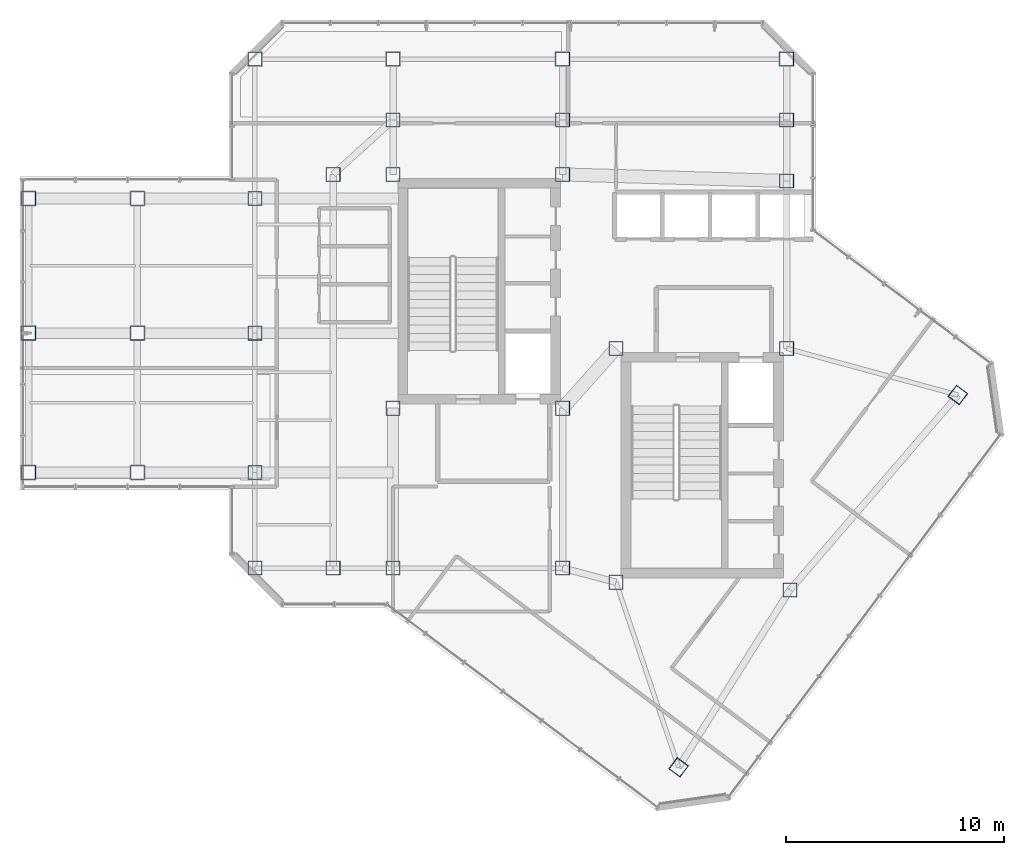
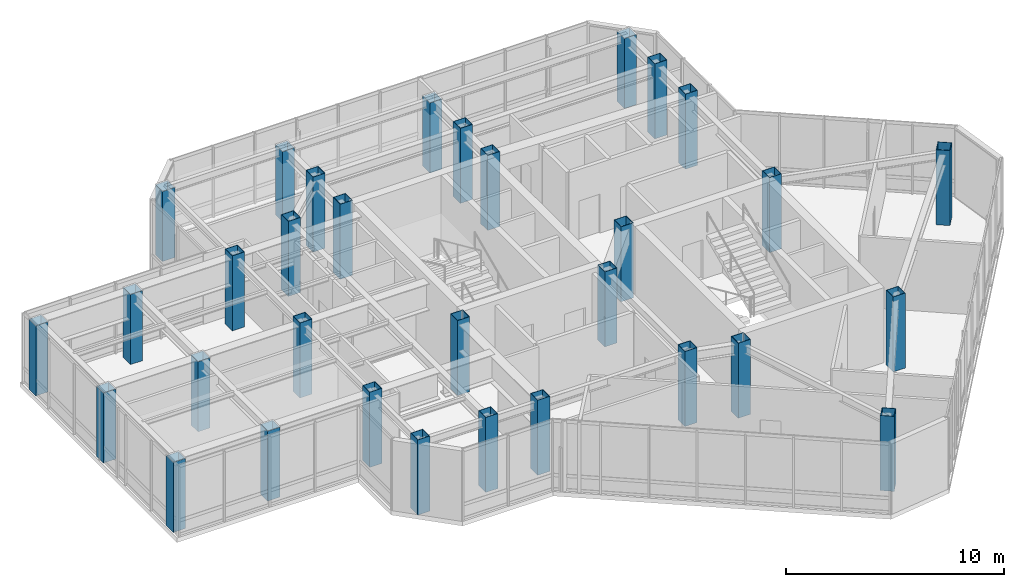
# One storey, part 1 of 22: 32 columns.
"""IFC4 building model written with IfcOpenShell, lengths in metres."""

from ifc_helpers import new_model, si_unit, direction, frame, origin, origin_2d, place, context, subcontext, project, spatial, hollow_rectangle, extrude, material, material_profile, profile_set, type_object, element, save


model = new_model("IFC4")

# Units and contexts
model_context = context("Model", 3, precision=1e-05, world=origin(), true_north=direction((0.0, 1.0)))
body_context = subcontext(model_context, "Body", "Model", "MODEL_VIEW")
ifc_project = project(units=[si_unit("LENGTHUNIT", "METRE"), si_unit("AREAUNIT", "SQUARE_METRE"), si_unit("VOLUMEUNIT", "CUBIC_METRE"), si_unit("PLANEANGLEUNIT", "RADIAN"), si_unit("MASSUNIT", "GRAM", prefix="KILO")], contexts=[model_context])

# Site, building, storey
site_placement = place(None, origin())
site = spatial("IfcSite", under=ifc_project, at=site_placement, CompositionType="ELEMENT")
building_placement = place(site_placement, origin())
building = spatial("IfcBuilding", under=site, at=building_placement, Name="Hatsunagi Terrace Concourse", CompositionType="ELEMENT")
storey_placement = place(building_placement, frame((0.0, 0.0, 261.75)))
storey = spatial("IfcBuildingStorey", under=building, at=storey_placement, Name="L69", CompositionType="ELEMENT", Elevation=261.75)

# Columns
ifc_material = material(Name="Steel BCP325T", Category="steel")
ifc_material_profile = material_profile(ifc_material, hollow_rectangle(XDim=0.64990234375, YDim=0.64990234375, WallThickness=0.02490234375, at=origin_2d()), Name="BCP-650x650x25")
ifc_profile_set = profile_set([ifc_material_profile], Name="Steel BCP325T")
column_type = type_object("IfcColumnType", Name="TowerBoxColumn_650x650x25", PredefinedType="COLUMN", material=ifc_profile_set)
for number, where, z_axis, x_axis, name in (
    (1, (25.550048828125, 32.550048828125, 0.0), (0.0, 0.0, 1.0), (1.0, 0.0, 0.0), "Column C-09 L69-CASW"),
    (2, (33.35009765625, 32.550048828125, 0.0), (0.0, 0.0, 1.0), (1.0, 0.0, 0.0), "Column C-09 L69-CASE"),
    (3, (25.550048828125, 43.300048828125, 0.0), (0.0, 0.0, 1.0), (1.0, 0.0, 0.0), "Column C-09 L69-CANW"),
    (4, (33.35009765625, 43.300048828125, 0.0), (0.0, 0.0, 1.0), (1.0, 0.0, 0.0), "Column C-09 L69-CANE"),
    (5, (35.800048828125, 24.550048828125, 0.0), (0.0, 0.0, 1.0), (1.0, 0.0, 0.0), "Column C-09 L69-CBSW"),
    (6, (43.800048828125, 24.199951171875, 0.0), (0.0, 0.0, 1.0), (1.0, 0.0, 0.0), "Column C-09 L69-CBSE"),
    (7, (35.800048828125, 35.300048828125, 0.0), (0.0, 0.0, 1.0), (1.0, 0.0, 0.0), "Column C-09 L69-CBNW"),
    (8, (43.64990234375, 35.300048828125, 0.0), (0.0, 0.0, 1.0), (1.0, 0.0, 0.0), "Column C-09 L69-CBNE"),
    (9, (25.550048828125, 25.199951171875, 0.0), (0.0, 0.0, 1.0), (1.0, 0.0, 0.0), "Column C-09 L69-K1"),
    (10, (33.35009765625, 25.199951171875, 0.0), (0.0, 0.0, 1.0), (1.0, 0.0, 0.0), "Column C-09 L69-K2"),
    (11, (43.64990234375, 43.0, 0.0), (0.0, 0.0, 1.0), (1.0, 0.0, 0.0), "Column C-09 L69-K3"),
    (12, (25.550048828125, 45.800048828125, 0.0), (0.0, 0.0, 1.0), (1.0, 0.0, 0.0), "Column C-09 L69-CN1"),
    (13, (33.35009765625, 45.800048828125, 0.0), (0.0, 0.0, 1.0), (1.0, 0.0, 0.0), "Column C-09 L69-CN2"),
    (14, (43.64990234375, 45.800048828125, 0.0), (0.0, 0.0, 1.0), (1.0, 0.0, 0.0), "Column C-09 L69-CN3"),
):
    element("IfcColumn", number, at=place(storey_placement, frame(where, z_axis=z_axis, x_axis=x_axis)), inside=storey, type_object=column_type, Name=name, PredefinedType="COLUMN", context=body_context, shape_type="SweptSolid", body=[
        extrude(hollow_rectangle(XDim=0.64990234375, YDim=0.64990234375, WallThickness=0.02490234375, at=origin_2d()), origin(), (0.0, 0.0, 1.0), 4.199951171875),
    ])
for number, where, z_axis, x_axis, name in (
    (15, (19.199951171875, 48.60009765625, 0.0), (0.0, 0.0, 1.0), (1.0, 0.0, 0.0), "Column C-09 L69-WN3"),
    (16, (25.550048828125, 48.60009765625, 0.0), (0.0, 0.0, 1.0), (1.0, 0.0, 0.0), "Column C-09 L69-WN4"),
    (17, (33.35009765625, 48.60009765625, 0.0), (0.0, 0.0, 1.0), (1.0, 0.0, 0.0), "Column C-09 L69-WN5"),
    (18, (43.64990234375, 48.60009765625, 0.0), (0.0, 0.0, 1.0), (1.0, 0.0, 0.0), "Column C-09 L69-WN6"),
):
    element("IfcColumn", number, at=place(storey_placement, frame(where, z_axis=z_axis, x_axis=x_axis)), inside=storey, type_object=column_type, Name=name, PredefinedType="COLUMN", context=body_context, shape_type="SweptSolid", body=[
        extrude(hollow_rectangle(XDim=0.64990234375, YDim=0.64990234375, WallThickness=0.02490234375, at=origin_2d()), origin(), (0.0, 0.0, 1.0), 3.91796875),
    ])
for number, where, z_axis, x_axis, name in (
    (19, (19.199951171875, 25.199951171875, 0.0), (0.0, 0.0, 1.0), (1.0, 0.0, 0.0), "Column C-09 L69-WS3"),
    (20, (19.199951171875, 29.60009765625, 0.0), (0.0, 0.0, 1.0), (1.0, 0.0, 0.0), "Column C-09 L69-WR1"),
    (21, (19.199951171875, 42.199951171875, 0.0), (0.0, 0.0, 1.0), (1.0, 0.0, 0.0), "Column C-09 L69-WR2"),
    (22, (22.800048828125, 25.199951171875, 0.0), (0.0, 0.0, 1.0), (1.0, 0.0, 0.0), "Column C-09 L69-CW1"),
    (23, (22.800048828125, 43.300048828125, 0.0), (0.0, 0.0, 1.0), (1.0, 0.0, 0.0), "Column C-09 L69-CW2"),
    (24, (19.199951171875, 36.0, 0.0), (0.0, 0.0, 1.0), (1.0, 0.0, 0.0), "Column C-09 L69-WT2"),
):
    element("IfcColumn", number, at=place(storey_placement, frame(where, z_axis=z_axis, x_axis=x_axis)), inside=storey, type_object=column_type, Name=name, PredefinedType="COLUMN", context=body_context, shape_type="SweptSolid", body=[
        extrude(hollow_rectangle(XDim=0.64990234375, YDim=0.64990234375, WallThickness=0.02490234375, at=origin_2d()), origin(), (0.0, 0.0, 1.0), 4.199951171875),
    ])
for number, where, z_axis, x_axis, name in (
    (25, (13.800048828125, 29.60009765625, 0.0), (0.0, 0.0, 1.0), (1.0, 0.0, 0.0), "Column C-09 L69-SLM1"),
    (26, (8.800048828125, 29.60009765625, 0.0), (0.0, 0.0, 1.0), (1.0, 0.0, 0.0), "Column C-09 L69-SLO1"),
    (27, (13.800048828125, 36.0, 0.0), (0.0, 0.0, 1.0), (1.0, 0.0, 0.0), "Column C-09 L69-SLM2"),
    (28, (8.800048828125, 36.0, 0.0), (0.0, 0.0, 1.0), (1.0, 0.0, 0.0), "Column C-09 L69-SLO2"),
    (29, (13.800048828125, 42.199951171875, 0.0), (0.0, 0.0, 1.0), (1.0, 0.0, 0.0), "Column C-09 L69-SLM3"),
    (30, (8.800048828125, 42.199951171875, 0.0), (0.0, 0.0, 1.0), (1.0, 0.0, 0.0), "Column C-09 L69-SLO3"),
):
    element("IfcColumn", number, at=place(storey_placement, frame(where, z_axis=z_axis, x_axis=x_axis)), inside=storey, type_object=column_type, Name=name, PredefinedType="COLUMN", context=body_context, shape_type="SweptSolid", body=[
        extrude(hollow_rectangle(XDim=0.64990234375, YDim=0.64990234375, WallThickness=0.02490234375, at=origin_2d()), origin(), (0.0, 0.0, 1.0), 3.91796875),
    ])
for number, where, z_axis, x_axis, name in (
    (31, (38.679931640625, 16.0400390625, 0.0), (0.0, 0.0, 1.0), (0.799999996291, -0.600000004945, 0.0), "Column C-09 L69-SES1"),
    (32, (51.52001953125, 33.159912109375, 0.0), (0.0, 0.0, 1.0), (0.799999996291, -0.600000004945, 0.0), "Column C-09 L69-SEN1"),
):
    element("IfcColumn", number, at=place(storey_placement, frame(where, z_axis=z_axis, x_axis=x_axis)), inside=storey, type_object=column_type, Name=name, PredefinedType="COLUMN", context=body_context, shape_type="SweptSolid", body=[
        extrude(hollow_rectangle(XDim=0.64990234375, YDim=0.64990234375, WallThickness=0.02490234375, at=origin_2d()), origin(), (0.0, 0.0, 1.0), 4.199951171875),
    ])

save(model, "model.ifc")
